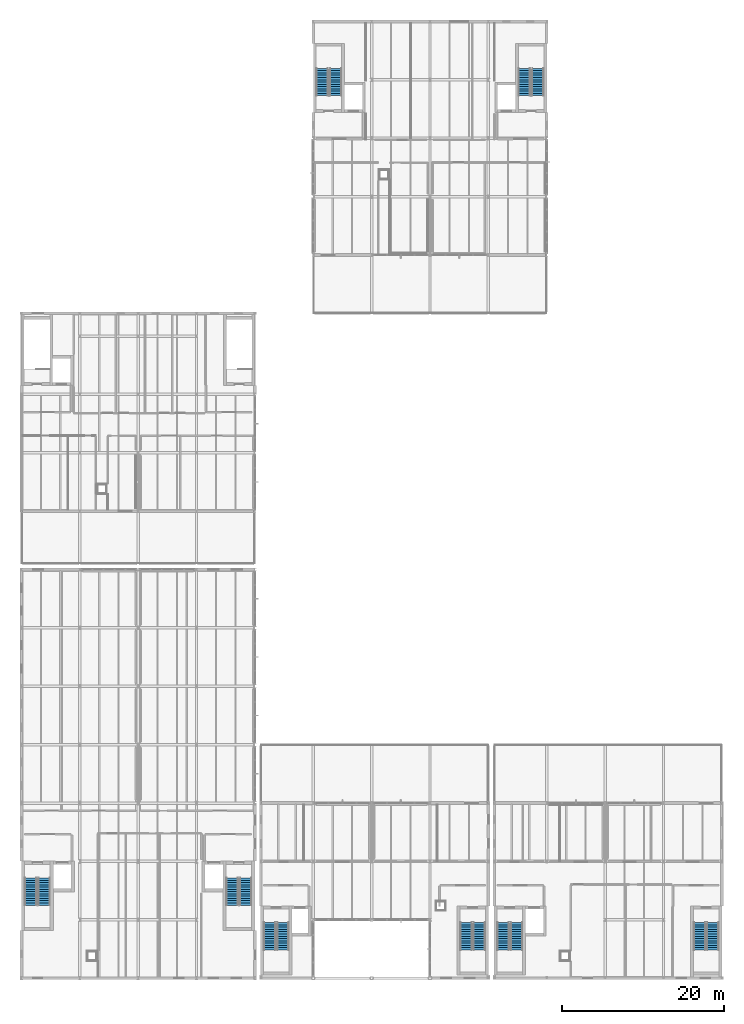
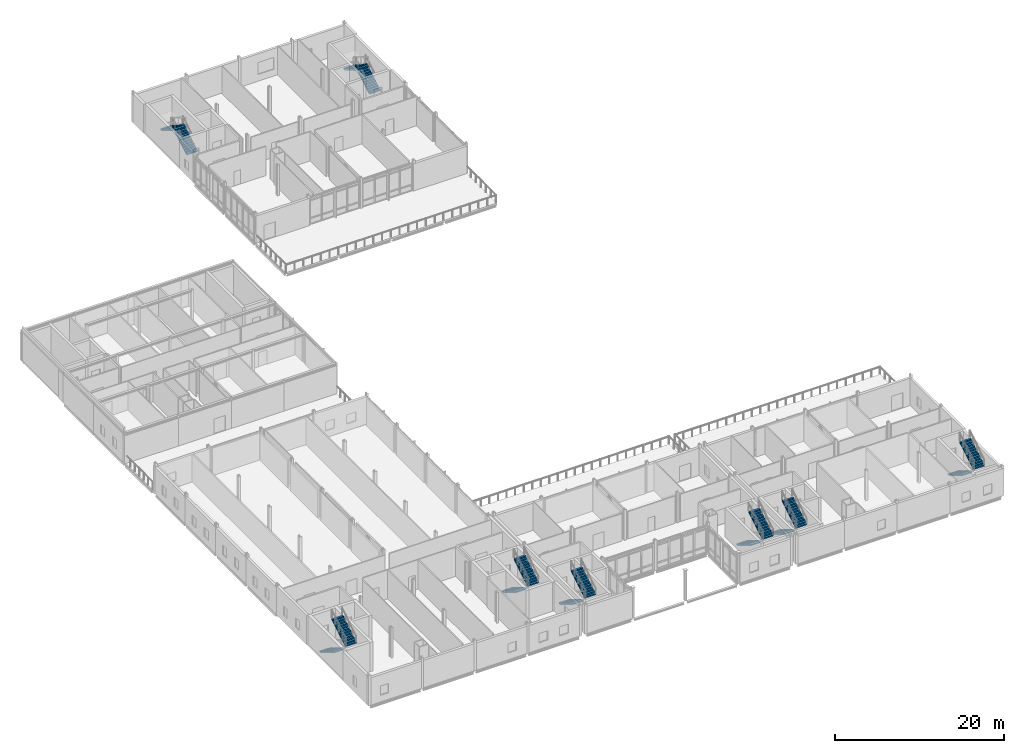
# One storey, part 44 of 53: 16 stair flights, 8 elements without a shape of their own.
"""IFC4 building model written with IfcOpenShell, lengths in metres."""

from ifc_helpers import new_model, si_unit, direction, frame, origin, place, context, subcontext, project, spatial, polyline, outline, extrude, material, type_object, element, aggregate, save


model = new_model("IFC4")

# Units and contexts
model_context = context("Model", 3, precision=1e-05, world=origin(), true_north=direction((0.0, 1.0)))
body_context = subcontext(model_context, "Body", "Model", "MODEL_VIEW")
ifc_project = project(units=[si_unit("LENGTHUNIT", "METRE"), si_unit("AREAUNIT", "SQUARE_METRE"), si_unit("VOLUMEUNIT", "CUBIC_METRE"), si_unit("PLANEANGLEUNIT", "RADIAN"), si_unit("MASSUNIT", "GRAM", prefix="KILO")], contexts=[model_context])

# Site, building, storey
site_placement = place(None, origin())
site = spatial("IfcSite", under=ifc_project, at=site_placement, CompositionType="ELEMENT")
building_placement = place(site_placement, origin())
building = spatial("IfcBuilding", under=site, at=building_placement, Name="Zarrinpeak Specialist Clinic", CompositionType="ELEMENT")
storey_placement = place(building_placement, frame((0.0, 0.0, 14.0)))
storey = spatial("IfcBuildingStorey", under=building, at=storey_placement, Name="L03", CompositionType="ELEMENT", Elevation=14.0)

# Stair, stair flights
ifc_material = material(Name="Concrete C35/45", Category="concrete")
stair_type = type_object("IfcStairType", Name="ST-DOG", PredefinedType="HALF_TURN_STAIR", material=ifc_material)
stair_1_placement = place(storey_placement, origin())
stair_1 = element("IfcStair", 1, at=stair_1_placement, inside=storey, type_object=stair_type, Name="L03 Protected Exit Stair ST-01", PredefinedType="HALF_TURN_STAIR")
stair_flight_type = type_object("IfcStairFlightType", Name="STF-150", PredefinedType="STRAIGHT", material=ifc_material)
stair_flight_1_placement = place(storey_placement, frame((1.14990234375, 12.35009765625, 0.0), z_axis=(0.0, 0.0, 1.0), x_axis=(0.0, -1.0, 0.0)))
stair_flight_1 = element("IfcStairFlight", 2, at=stair_flight_1_placement, type_object=stair_flight_type, Name="ST-01 flight 1", NumberOfRisers=13, NumberOfTreads=12, PredefinedType="STRAIGHT", RiserHeight=0.169230769, TreadLength=0.28, context=body_context, shape_type="SweptSolid", body=[
    extrude(outline(polyline([(0.0, 0.0), (0.0, 0.169189453125), (0.280029296875, 0.169189453125), (0.280029296875, 0.33837890625), (0.56005859375, 0.33837890625), (0.56005859375, 0.5078125), (0.840087890625, 0.5078125), (0.840087890625, 0.677001953125), (1.1201171875, 0.677001953125), (1.1201171875, 0.84619140625), (1.39990234375, 0.84619140625), (1.39990234375, 1.015380859375), (1.679931640625, 1.015380859375), (1.679931640625, 1.1845703125), (1.9599609375, 1.1845703125), (1.9599609375, 1.353759765625), (2.239990234375, 1.353759765625), (2.239990234375, 1.523193359375), (2.52001953125, 1.523193359375), (2.52001953125, 1.6923828125), (2.800048828125, 1.6923828125), (2.800048828125, 1.861572265625), (3.080078125, 1.861572265625), (3.080078125, 2.03076171875), (3.360107421875, 2.03076171875), (3.360107421875, 2.199951171875), (3.360107421875, 1.855712890625), (0.289794921875, 0.0), (0.0, 0.0)])), frame((0.0, 0.75, 0.0), z_axis=(0.0, -1.0, 0.0), x_axis=(1.0, 0.0, 0.0)), (0.0, 0.0, 1.0), 1.5),
])
stair_flight_2_placement = place(storey_placement, frame((2.800048828125, 8.989990234375, 2.199951171875), z_axis=(0.0, 0.0, 1.0), x_axis=(0.0, 1.0, 0.0)))
stair_flight_2 = element("IfcStairFlight", 3, at=stair_flight_2_placement, type_object=stair_flight_type, Name="ST-01 flight 2", NumberOfRisers=13, NumberOfTreads=12, PredefinedType="STRAIGHT", RiserHeight=0.169230769, TreadLength=0.28, context=body_context, shape_type="SweptSolid", body=[
    extrude(outline(polyline([(0.0, 0.0), (0.0, 0.169189453125), (0.280029296875, 0.169189453125), (0.280029296875, 0.33837890625), (0.56005859375, 0.33837890625), (0.56005859375, 0.5078125), (0.840087890625, 0.5078125), (0.840087890625, 0.677001953125), (1.1201171875, 0.677001953125), (1.1201171875, 0.84619140625), (1.39990234375, 0.84619140625), (1.39990234375, 1.015380859375), (1.679931640625, 1.015380859375), (1.679931640625, 1.1845703125), (1.9599609375, 1.1845703125), (1.9599609375, 1.353759765625), (2.239990234375, 1.353759765625), (2.239990234375, 1.523193359375), (2.52001953125, 1.523193359375), (2.52001953125, 1.6923828125), (2.800048828125, 1.6923828125), (2.800048828125, 1.861572265625), (3.080078125, 1.861572265625), (3.080078125, 2.03076171875), (3.360107421875, 2.03076171875), (3.360107421875, 2.199951171875), (3.360107421875, 1.855712890625), (0.289794921875, 0.0), (0.0, 0.0)])), frame((0.0, 0.75, 0.0), z_axis=(0.0, -1.0, 0.0), x_axis=(1.0, 0.0, 0.0)), (0.0, 0.0, 1.0), 1.5),
])
aggregate(stair_1, [stair_flight_1, stair_flight_2])

stair_2_placement = place(storey_placement, origin())
stair_2 = element("IfcStair", 4, at=stair_2_placement, inside=storey, type_object=stair_type, Name="L03 Protected Exit Stair ST-02", PredefinedType="HALF_TURN_STAIR")
stair_flight_3_placement = place(storey_placement, frame((26.0, 12.35009765625, 0.0), z_axis=(0.0, 0.0, 1.0), x_axis=(0.0, -1.0, 0.0)))
stair_flight_3 = element("IfcStairFlight", 5, at=stair_flight_3_placement, type_object=stair_flight_type, Name="ST-02 flight 1", NumberOfRisers=13, NumberOfTreads=12, PredefinedType="STRAIGHT", RiserHeight=0.169230769, TreadLength=0.28, context=body_context, shape_type="SweptSolid", body=[
    extrude(outline(polyline([(0.0, 0.0), (0.0, 0.169189453125), (0.280029296875, 0.169189453125), (0.280029296875, 0.33837890625), (0.56005859375, 0.33837890625), (0.56005859375, 0.5078125), (0.840087890625, 0.5078125), (0.840087890625, 0.677001953125), (1.1201171875, 0.677001953125), (1.1201171875, 0.84619140625), (1.39990234375, 0.84619140625), (1.39990234375, 1.015380859375), (1.679931640625, 1.015380859375), (1.679931640625, 1.1845703125), (1.9599609375, 1.1845703125), (1.9599609375, 1.353759765625), (2.239990234375, 1.353759765625), (2.239990234375, 1.523193359375), (2.52001953125, 1.523193359375), (2.52001953125, 1.6923828125), (2.800048828125, 1.6923828125), (2.800048828125, 1.861572265625), (3.080078125, 1.861572265625), (3.080078125, 2.03076171875), (3.360107421875, 2.03076171875), (3.360107421875, 2.199951171875), (3.360107421875, 1.855712890625), (0.289794921875, 0.0), (0.0, 0.0)])), frame((0.0, 0.75, 0.0), z_axis=(0.0, -1.0, 0.0), x_axis=(1.0, 0.0, 0.0)), (0.0, 0.0, 1.0), 1.5),
])
stair_flight_4_placement = place(storey_placement, frame((27.64990234375, 8.989990234375, 2.199951171875), z_axis=(0.0, 0.0, 1.0), x_axis=(0.0, 1.0, 0.0)))
stair_flight_4 = element("IfcStairFlight", 6, at=stair_flight_4_placement, type_object=stair_flight_type, Name="ST-02 flight 2", NumberOfRisers=13, NumberOfTreads=12, PredefinedType="STRAIGHT", RiserHeight=0.169230769, TreadLength=0.28, context=body_context, shape_type="SweptSolid", body=[
    extrude(outline(polyline([(0.0, 0.0), (0.0, 0.169189453125), (0.280029296875, 0.169189453125), (0.280029296875, 0.33837890625), (0.56005859375, 0.33837890625), (0.56005859375, 0.5078125), (0.840087890625, 0.5078125), (0.840087890625, 0.677001953125), (1.1201171875, 0.677001953125), (1.1201171875, 0.84619140625), (1.39990234375, 0.84619140625), (1.39990234375, 1.015380859375), (1.679931640625, 1.015380859375), (1.679931640625, 1.1845703125), (1.9599609375, 1.1845703125), (1.9599609375, 1.353759765625), (2.239990234375, 1.353759765625), (2.239990234375, 1.523193359375), (2.52001953125, 1.523193359375), (2.52001953125, 1.6923828125), (2.800048828125, 1.6923828125), (2.800048828125, 1.861572265625), (3.080078125, 1.861572265625), (3.080078125, 2.03076171875), (3.360107421875, 2.03076171875), (3.360107421875, 2.199951171875), (3.360107421875, 1.855712890625), (0.289794921875, 0.0), (0.0, 0.0)])), frame((0.0, 0.75, 0.0), z_axis=(0.0, -1.0, 0.0), x_axis=(1.0, 0.0, 0.0)), (0.0, 0.0, 1.0), 1.5),
])
aggregate(stair_2, [stair_flight_3, stair_flight_4])

stair_3_placement = place(storey_placement, origin())
stair_3 = element("IfcStair", 7, at=stair_3_placement, inside=storey, type_object=stair_type, Name="L03 Protected Exit Stair ST-03", PredefinedType="HALF_TURN_STAIR")
stair_flight_5_placement = place(storey_placement, frame((30.6201171875, 6.85009765625, 0.0), z_axis=(0.0, 0.0, 1.0), x_axis=(0.0, -1.0, 0.0)))
stair_flight_5 = element("IfcStairFlight", 8, at=stair_flight_5_placement, type_object=stair_flight_type, Name="ST-03 flight 1", NumberOfRisers=13, NumberOfTreads=12, PredefinedType="STRAIGHT", RiserHeight=0.169230769, TreadLength=0.28, context=body_context, shape_type="SweptSolid", body=[
    extrude(outline(polyline([(0.0, 0.0), (0.0, 0.169189453125), (0.280029296875, 0.169189453125), (0.280029296875, 0.33837890625), (0.56005859375, 0.33837890625), (0.56005859375, 0.5078125), (0.840087890625, 0.5078125), (0.840087890625, 0.677001953125), (1.1201171875, 0.677001953125), (1.1201171875, 0.84619140625), (1.39990234375, 0.84619140625), (1.39990234375, 1.015380859375), (1.679931640625, 1.015380859375), (1.679931640625, 1.1845703125), (1.9599609375, 1.1845703125), (1.9599609375, 1.353759765625), (2.239990234375, 1.353759765625), (2.239990234375, 1.523193359375), (2.52001953125, 1.523193359375), (2.52001953125, 1.6923828125), (2.800048828125, 1.6923828125), (2.800048828125, 1.861572265625), (3.080078125, 1.861572265625), (3.080078125, 2.03076171875), (3.360107421875, 2.03076171875), (3.360107421875, 2.199951171875), (3.360107421875, 1.855712890625), (0.289794921875, 0.0), (0.0, 0.0)])), frame((0.0, 0.75, 0.0), z_axis=(0.0, -1.0, 0.0), x_axis=(1.0, 0.0, 0.0)), (0.0, 0.0, 1.0), 1.5),
])
stair_flight_6_placement = place(storey_placement, frame((32.27001953125, 3.489990234375, 2.199951171875), z_axis=(0.0, 0.0, 1.0), x_axis=(0.0, 1.0, 0.0)))
stair_flight_6 = element("IfcStairFlight", 9, at=stair_flight_6_placement, type_object=stair_flight_type, Name="ST-03 flight 2", NumberOfRisers=13, NumberOfTreads=12, PredefinedType="STRAIGHT", RiserHeight=0.169230769, TreadLength=0.28, context=body_context, shape_type="SweptSolid", body=[
    extrude(outline(polyline([(0.0, 0.0), (0.0, 0.169189453125), (0.280029296875, 0.169189453125), (0.280029296875, 0.33837890625), (0.56005859375, 0.33837890625), (0.56005859375, 0.5078125), (0.840087890625, 0.5078125), (0.840087890625, 0.677001953125), (1.1201171875, 0.677001953125), (1.1201171875, 0.84619140625), (1.39990234375, 0.84619140625), (1.39990234375, 1.015380859375), (1.679931640625, 1.015380859375), (1.679931640625, 1.1845703125), (1.9599609375, 1.1845703125), (1.9599609375, 1.353759765625), (2.239990234375, 1.353759765625), (2.239990234375, 1.523193359375), (2.52001953125, 1.523193359375), (2.52001953125, 1.6923828125), (2.800048828125, 1.6923828125), (2.800048828125, 1.861572265625), (3.080078125, 1.861572265625), (3.080078125, 2.03076171875), (3.360107421875, 2.03076171875), (3.360107421875, 2.199951171875), (3.360107421875, 1.855712890625), (0.289794921875, 0.0), (0.0, 0.0)])), frame((0.0, 0.75, 0.0), z_axis=(0.0, -1.0, 0.0), x_axis=(1.0, 0.0, 0.0)), (0.0, 0.0, 1.0), 1.5),
])
aggregate(stair_3, [stair_flight_5, stair_flight_6])

stair_4_placement = place(storey_placement, origin())
stair_4 = element("IfcStair", 10, at=stair_4_placement, inside=storey, type_object=stair_type, Name="L03 Protected Exit Stair ST-04", PredefinedType="HALF_TURN_STAIR")
stair_flight_7_placement = place(storey_placement, frame((54.85009765625, 6.85009765625, 0.0), z_axis=(0.0, 0.0, 1.0), x_axis=(0.0, -1.0, 0.0)))
stair_flight_7 = element("IfcStairFlight", 11, at=stair_flight_7_placement, type_object=stair_flight_type, Name="ST-04 flight 1", NumberOfRisers=13, NumberOfTreads=12, PredefinedType="STRAIGHT", RiserHeight=0.169230769, TreadLength=0.28, context=body_context, shape_type="SweptSolid", body=[
    extrude(outline(polyline([(0.0, 0.0), (0.0, 0.169189453125), (0.280029296875, 0.169189453125), (0.280029296875, 0.33837890625), (0.56005859375, 0.33837890625), (0.56005859375, 0.5078125), (0.840087890625, 0.5078125), (0.840087890625, 0.677001953125), (1.1201171875, 0.677001953125), (1.1201171875, 0.84619140625), (1.39990234375, 0.84619140625), (1.39990234375, 1.015380859375), (1.679931640625, 1.015380859375), (1.679931640625, 1.1845703125), (1.9599609375, 1.1845703125), (1.9599609375, 1.353759765625), (2.239990234375, 1.353759765625), (2.239990234375, 1.523193359375), (2.52001953125, 1.523193359375), (2.52001953125, 1.6923828125), (2.800048828125, 1.6923828125), (2.800048828125, 1.861572265625), (3.080078125, 1.861572265625), (3.080078125, 2.03076171875), (3.360107421875, 2.03076171875), (3.360107421875, 2.199951171875), (3.360107421875, 1.855712890625), (0.289794921875, 0.0), (0.0, 0.0)])), frame((0.0, 0.75, 0.0), z_axis=(0.0, -1.0, 0.0), x_axis=(1.0, 0.0, 0.0)), (0.0, 0.0, 1.0), 1.5),
])
stair_flight_8_placement = place(storey_placement, frame((56.5, 3.489990234375, 2.199951171875), z_axis=(0.0, 0.0, 1.0), x_axis=(0.0, 1.0, 0.0)))
stair_flight_8 = element("IfcStairFlight", 12, at=stair_flight_8_placement, type_object=stair_flight_type, Name="ST-04 flight 2", NumberOfRisers=13, NumberOfTreads=12, PredefinedType="STRAIGHT", RiserHeight=0.169230769, TreadLength=0.28, context=body_context, shape_type="SweptSolid", body=[
    extrude(outline(polyline([(0.0, 0.0), (0.0, 0.169189453125), (0.280029296875, 0.169189453125), (0.280029296875, 0.33837890625), (0.56005859375, 0.33837890625), (0.56005859375, 0.5078125), (0.840087890625, 0.5078125), (0.840087890625, 0.677001953125), (1.1201171875, 0.677001953125), (1.1201171875, 0.84619140625), (1.39990234375, 0.84619140625), (1.39990234375, 1.015380859375), (1.679931640625, 1.015380859375), (1.679931640625, 1.1845703125), (1.9599609375, 1.1845703125), (1.9599609375, 1.353759765625), (2.239990234375, 1.353759765625), (2.239990234375, 1.523193359375), (2.52001953125, 1.523193359375), (2.52001953125, 1.6923828125), (2.800048828125, 1.6923828125), (2.800048828125, 1.861572265625), (3.080078125, 1.861572265625), (3.080078125, 2.03076171875), (3.360107421875, 2.03076171875), (3.360107421875, 2.199951171875), (3.360107421875, 1.855712890625), (0.289794921875, 0.0), (0.0, 0.0)])), frame((0.0, 0.75, 0.0), z_axis=(0.0, -1.0, 0.0), x_axis=(1.0, 0.0, 0.0)), (0.0, 0.0, 1.0), 1.5),
])
aggregate(stair_4, [stair_flight_7, stair_flight_8])

stair_5_placement = place(storey_placement, origin())
stair_5 = element("IfcStair", 13, at=stair_5_placement, inside=storey, type_object=stair_type, Name="L03 Protected Exit Stair ST-07", PredefinedType="HALF_TURN_STAIR")
stair_flight_9_placement = place(storey_placement, frame((59.419921875, 6.85009765625, 0.0), z_axis=(0.0, 0.0, 1.0), x_axis=(0.0, -1.0, 0.0)))
stair_flight_9 = element("IfcStairFlight", 14, at=stair_flight_9_placement, type_object=stair_flight_type, Name="ST-07 flight 1", NumberOfRisers=13, NumberOfTreads=12, PredefinedType="STRAIGHT", RiserHeight=0.169230769, TreadLength=0.28, context=body_context, shape_type="SweptSolid", body=[
    extrude(outline(polyline([(0.0, 0.0), (0.0, 0.169189453125), (0.280029296875, 0.169189453125), (0.280029296875, 0.33837890625), (0.56005859375, 0.33837890625), (0.56005859375, 0.5078125), (0.840087890625, 0.5078125), (0.840087890625, 0.677001953125), (1.1201171875, 0.677001953125), (1.1201171875, 0.84619140625), (1.39990234375, 0.84619140625), (1.39990234375, 1.015380859375), (1.679931640625, 1.015380859375), (1.679931640625, 1.1845703125), (1.9599609375, 1.1845703125), (1.9599609375, 1.353759765625), (2.239990234375, 1.353759765625), (2.239990234375, 1.523193359375), (2.52001953125, 1.523193359375), (2.52001953125, 1.6923828125), (2.800048828125, 1.6923828125), (2.800048828125, 1.861572265625), (3.080078125, 1.861572265625), (3.080078125, 2.03076171875), (3.360107421875, 2.03076171875), (3.360107421875, 2.199951171875), (3.360107421875, 1.855712890625), (0.289794921875, 0.0), (0.0, 0.0)])), frame((0.0, 0.75, 0.0), z_axis=(0.0, -1.0, 0.0), x_axis=(1.0, 0.0, 0.0)), (0.0, 0.0, 1.0), 1.5),
])
stair_flight_10_placement = place(storey_placement, frame((61.070068359375, 3.489990234375, 2.199951171875), z_axis=(0.0, 0.0, 1.0), x_axis=(0.0, 1.0, 0.0)))
stair_flight_10 = element("IfcStairFlight", 15, at=stair_flight_10_placement, type_object=stair_flight_type, Name="ST-07 flight 2", NumberOfRisers=13, NumberOfTreads=12, PredefinedType="STRAIGHT", RiserHeight=0.169230769, TreadLength=0.28, context=body_context, shape_type="SweptSolid", body=[
    extrude(outline(polyline([(0.0, 0.0), (0.0, 0.169189453125), (0.280029296875, 0.169189453125), (0.280029296875, 0.33837890625), (0.56005859375, 0.33837890625), (0.56005859375, 0.5078125), (0.840087890625, 0.5078125), (0.840087890625, 0.677001953125), (1.1201171875, 0.677001953125), (1.1201171875, 0.84619140625), (1.39990234375, 0.84619140625), (1.39990234375, 1.015380859375), (1.679931640625, 1.015380859375), (1.679931640625, 1.1845703125), (1.9599609375, 1.1845703125), (1.9599609375, 1.353759765625), (2.239990234375, 1.353759765625), (2.239990234375, 1.523193359375), (2.52001953125, 1.523193359375), (2.52001953125, 1.6923828125), (2.800048828125, 1.6923828125), (2.800048828125, 1.861572265625), (3.080078125, 1.861572265625), (3.080078125, 2.03076171875), (3.360107421875, 2.03076171875), (3.360107421875, 2.199951171875), (3.360107421875, 1.855712890625), (0.289794921875, 0.0), (0.0, 0.0)])), frame((0.0, 0.75, 0.0), z_axis=(0.0, -1.0, 0.0), x_axis=(1.0, 0.0, 0.0)), (0.0, 0.0, 1.0), 1.5),
])
aggregate(stair_5, [stair_flight_9, stair_flight_10])

stair_6_placement = place(storey_placement, origin())
stair_6 = element("IfcStair", 16, at=stair_6_placement, inside=storey, type_object=stair_type, Name="L03 Protected Exit Stair ST-08", PredefinedType="HALF_TURN_STAIR")
stair_flight_11_placement = place(storey_placement, frame((83.64990234375, 6.85009765625, 0.0), z_axis=(0.0, 0.0, 1.0), x_axis=(0.0, -1.0, 0.0)))
stair_flight_11 = element("IfcStairFlight", 17, at=stair_flight_11_placement, type_object=stair_flight_type, Name="ST-08 flight 1", NumberOfRisers=13, NumberOfTreads=12, PredefinedType="STRAIGHT", RiserHeight=0.169230769, TreadLength=0.28, context=body_context, shape_type="SweptSolid", body=[
    extrude(outline(polyline([(0.0, 0.0), (0.0, 0.169189453125), (0.280029296875, 0.169189453125), (0.280029296875, 0.33837890625), (0.56005859375, 0.33837890625), (0.56005859375, 0.5078125), (0.840087890625, 0.5078125), (0.840087890625, 0.677001953125), (1.1201171875, 0.677001953125), (1.1201171875, 0.84619140625), (1.39990234375, 0.84619140625), (1.39990234375, 1.015380859375), (1.679931640625, 1.015380859375), (1.679931640625, 1.1845703125), (1.9599609375, 1.1845703125), (1.9599609375, 1.353759765625), (2.239990234375, 1.353759765625), (2.239990234375, 1.523193359375), (2.52001953125, 1.523193359375), (2.52001953125, 1.6923828125), (2.800048828125, 1.6923828125), (2.800048828125, 1.861572265625), (3.080078125, 1.861572265625), (3.080078125, 2.03076171875), (3.360107421875, 2.03076171875), (3.360107421875, 2.199951171875), (3.360107421875, 1.855712890625), (0.289794921875, 0.0), (0.0, 0.0)])), frame((0.0, 0.75, 0.0), z_axis=(0.0, -1.0, 0.0), x_axis=(1.0, 0.0, 0.0)), (0.0, 0.0, 1.0), 1.5),
])
stair_flight_12_placement = place(storey_placement, frame((85.300048828125, 3.489990234375, 2.199951171875), z_axis=(0.0, 0.0, 1.0), x_axis=(0.0, 1.0, 0.0)))
stair_flight_12 = element("IfcStairFlight", 18, at=stair_flight_12_placement, type_object=stair_flight_type, Name="ST-08 flight 2", NumberOfRisers=13, NumberOfTreads=12, PredefinedType="STRAIGHT", RiserHeight=0.169230769, TreadLength=0.28, context=body_context, shape_type="SweptSolid", body=[
    extrude(outline(polyline([(0.0, 0.0), (0.0, 0.169189453125), (0.280029296875, 0.169189453125), (0.280029296875, 0.33837890625), (0.56005859375, 0.33837890625), (0.56005859375, 0.5078125), (0.840087890625, 0.5078125), (0.840087890625, 0.677001953125), (1.1201171875, 0.677001953125), (1.1201171875, 0.84619140625), (1.39990234375, 0.84619140625), (1.39990234375, 1.015380859375), (1.679931640625, 1.015380859375), (1.679931640625, 1.1845703125), (1.9599609375, 1.1845703125), (1.9599609375, 1.353759765625), (2.239990234375, 1.353759765625), (2.239990234375, 1.523193359375), (2.52001953125, 1.523193359375), (2.52001953125, 1.6923828125), (2.800048828125, 1.6923828125), (2.800048828125, 1.861572265625), (3.080078125, 1.861572265625), (3.080078125, 2.03076171875), (3.360107421875, 2.03076171875), (3.360107421875, 2.199951171875), (3.360107421875, 1.855712890625), (0.289794921875, 0.0), (0.0, 0.0)])), frame((0.0, 0.75, 0.0), z_axis=(0.0, -1.0, 0.0), x_axis=(1.0, 0.0, 0.0)), (0.0, 0.0, 1.0), 1.5),
])
aggregate(stair_6, [stair_flight_11, stair_flight_12])

stair_7_placement = place(storey_placement, origin())
stair_7 = element("IfcStair", 19, at=stair_7_placement, inside=storey, type_object=stair_type, Name="L03 Protected Exit Stair ST-11", PredefinedType="HALF_TURN_STAIR")
stair_flight_13_placement = place(storey_placement, frame((38.75, 108.85009765625, 0.0), z_axis=(0.0, 0.0, 1.0), x_axis=(0.0, 1.0, 0.0)))
stair_flight_13 = element("IfcStairFlight", 20, at=stair_flight_13_placement, type_object=stair_flight_type, Name="ST-11 flight 1", NumberOfRisers=13, NumberOfTreads=12, PredefinedType="STRAIGHT", RiserHeight=0.169230769, TreadLength=0.28, context=body_context, shape_type="SweptSolid", body=[
    extrude(outline(polyline([(0.0, 0.0), (0.0, 0.169189453125), (0.280029296875, 0.169189453125), (0.280029296875, 0.33837890625), (0.56005859375, 0.33837890625), (0.56005859375, 0.5078125), (0.840087890625, 0.5078125), (0.840087890625, 0.677001953125), (1.1201171875, 0.677001953125), (1.1201171875, 0.84619140625), (1.39990234375, 0.84619140625), (1.39990234375, 1.015380859375), (1.679931640625, 1.015380859375), (1.679931640625, 1.1845703125), (1.9599609375, 1.1845703125), (1.9599609375, 1.353759765625), (2.239990234375, 1.353759765625), (2.239990234375, 1.523193359375), (2.52001953125, 1.523193359375), (2.52001953125, 1.6923828125), (2.800048828125, 1.6923828125), (2.800048828125, 1.861572265625), (3.080078125, 1.861572265625), (3.080078125, 2.03076171875), (3.360107421875, 2.03076171875), (3.360107421875, 2.199951171875), (3.360107421875, 1.855712890625), (0.289794921875, 0.0), (0.0, 0.0)])), frame((0.0, 0.75, 0.0), z_axis=(0.0, -1.0, 0.0), x_axis=(1.0, 0.0, 0.0)), (0.0, 0.0, 1.0), 1.5),
])
stair_flight_14_placement = place(storey_placement, frame((37.10009765625, 112.2099609375, 2.199951171875), z_axis=(0.0, 0.0, 1.0), x_axis=(0.0, -1.0, 0.0)))
stair_flight_14 = element("IfcStairFlight", 21, at=stair_flight_14_placement, type_object=stair_flight_type, Name="ST-11 flight 2", NumberOfRisers=13, NumberOfTreads=12, PredefinedType="STRAIGHT", RiserHeight=0.169230769, TreadLength=0.28, context=body_context, shape_type="SweptSolid", body=[
    extrude(outline(polyline([(0.0, 0.0), (0.0, 0.169189453125), (0.280029296875, 0.169189453125), (0.280029296875, 0.33837890625), (0.56005859375, 0.33837890625), (0.56005859375, 0.5078125), (0.840087890625, 0.5078125), (0.840087890625, 0.677001953125), (1.1201171875, 0.677001953125), (1.1201171875, 0.84619140625), (1.39990234375, 0.84619140625), (1.39990234375, 1.015380859375), (1.679931640625, 1.015380859375), (1.679931640625, 1.1845703125), (1.9599609375, 1.1845703125), (1.9599609375, 1.353759765625), (2.239990234375, 1.353759765625), (2.239990234375, 1.523193359375), (2.52001953125, 1.523193359375), (2.52001953125, 1.6923828125), (2.800048828125, 1.6923828125), (2.800048828125, 1.861572265625), (3.080078125, 1.861572265625), (3.080078125, 2.03076171875), (3.360107421875, 2.03076171875), (3.360107421875, 2.199951171875), (3.360107421875, 1.855712890625), (0.289794921875, 0.0), (0.0, 0.0)])), frame((0.0, 0.75, 0.0), z_axis=(0.0, -1.0, 0.0), x_axis=(1.0, 0.0, 0.0)), (0.0, 0.0, 1.0), 1.5),
])
aggregate(stair_7, [stair_flight_13, stair_flight_14])

stair_8_placement = place(storey_placement, origin())
stair_8 = element("IfcStair", 22, at=stair_8_placement, inside=storey, type_object=stair_type, Name="L03 Protected Exit Stair ST-12", PredefinedType="HALF_TURN_STAIR")
stair_flight_15_placement = place(storey_placement, frame((63.699951171875, 108.85009765625, 0.0), z_axis=(0.0, 0.0, 1.0), x_axis=(0.0, 1.0, 0.0)))
stair_flight_15 = element("IfcStairFlight", 23, at=stair_flight_15_placement, type_object=stair_flight_type, Name="ST-12 flight 1", NumberOfRisers=13, NumberOfTreads=12, PredefinedType="STRAIGHT", RiserHeight=0.169230769, TreadLength=0.28, context=body_context, shape_type="SweptSolid", body=[
    extrude(outline(polyline([(0.0, 0.0), (0.0, 0.169189453125), (0.280029296875, 0.169189453125), (0.280029296875, 0.33837890625), (0.56005859375, 0.33837890625), (0.56005859375, 0.5078125), (0.840087890625, 0.5078125), (0.840087890625, 0.677001953125), (1.1201171875, 0.677001953125), (1.1201171875, 0.84619140625), (1.39990234375, 0.84619140625), (1.39990234375, 1.015380859375), (1.679931640625, 1.015380859375), (1.679931640625, 1.1845703125), (1.9599609375, 1.1845703125), (1.9599609375, 1.353759765625), (2.239990234375, 1.353759765625), (2.239990234375, 1.523193359375), (2.52001953125, 1.523193359375), (2.52001953125, 1.6923828125), (2.800048828125, 1.6923828125), (2.800048828125, 1.861572265625), (3.080078125, 1.861572265625), (3.080078125, 2.03076171875), (3.360107421875, 2.03076171875), (3.360107421875, 2.199951171875), (3.360107421875, 1.855712890625), (0.289794921875, 0.0), (0.0, 0.0)])), frame((0.0, 0.75, 0.0), z_axis=(0.0, -1.0, 0.0), x_axis=(1.0, 0.0, 0.0)), (0.0, 0.0, 1.0), 1.5),
])
stair_flight_16_placement = place(storey_placement, frame((62.050048828125, 112.2099609375, 2.199951171875), z_axis=(0.0, 0.0, 1.0), x_axis=(0.0, -1.0, 0.0)))
stair_flight_16 = element("IfcStairFlight", 24, at=stair_flight_16_placement, type_object=stair_flight_type, Name="ST-12 flight 2", NumberOfRisers=13, NumberOfTreads=12, PredefinedType="STRAIGHT", RiserHeight=0.169230769, TreadLength=0.28, context=body_context, shape_type="SweptSolid", body=[
    extrude(outline(polyline([(0.0, 0.0), (0.0, 0.169189453125), (0.280029296875, 0.169189453125), (0.280029296875, 0.33837890625), (0.56005859375, 0.33837890625), (0.56005859375, 0.5078125), (0.840087890625, 0.5078125), (0.840087890625, 0.677001953125), (1.1201171875, 0.677001953125), (1.1201171875, 0.84619140625), (1.39990234375, 0.84619140625), (1.39990234375, 1.015380859375), (1.679931640625, 1.015380859375), (1.679931640625, 1.1845703125), (1.9599609375, 1.1845703125), (1.9599609375, 1.353759765625), (2.239990234375, 1.353759765625), (2.239990234375, 1.523193359375), (2.52001953125, 1.523193359375), (2.52001953125, 1.6923828125), (2.800048828125, 1.6923828125), (2.800048828125, 1.861572265625), (3.080078125, 1.861572265625), (3.080078125, 2.03076171875), (3.360107421875, 2.03076171875), (3.360107421875, 2.199951171875), (3.360107421875, 1.855712890625), (0.289794921875, 0.0), (0.0, 0.0)])), frame((0.0, 0.75, 0.0), z_axis=(0.0, -1.0, 0.0), x_axis=(1.0, 0.0, 0.0)), (0.0, 0.0, 1.0), 1.5),
])
aggregate(stair_8, [stair_flight_15, stair_flight_16])

save(model, "model.ifc")
